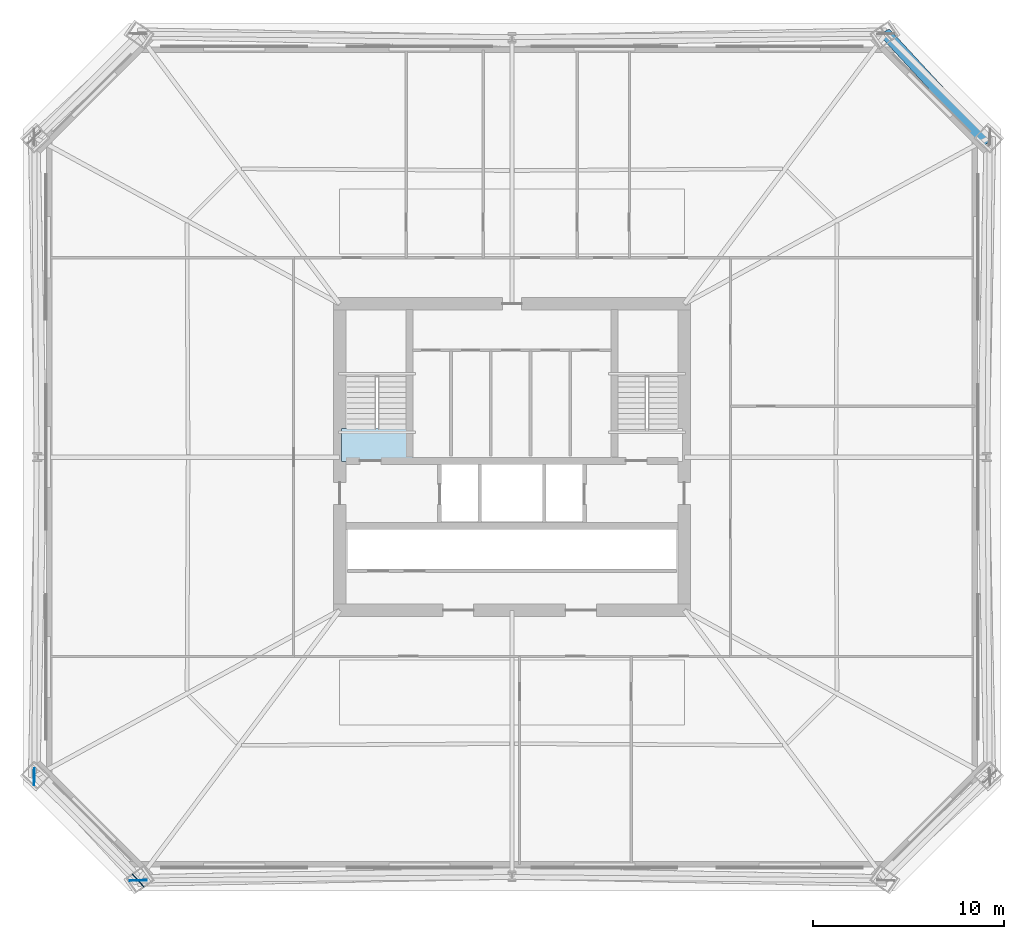
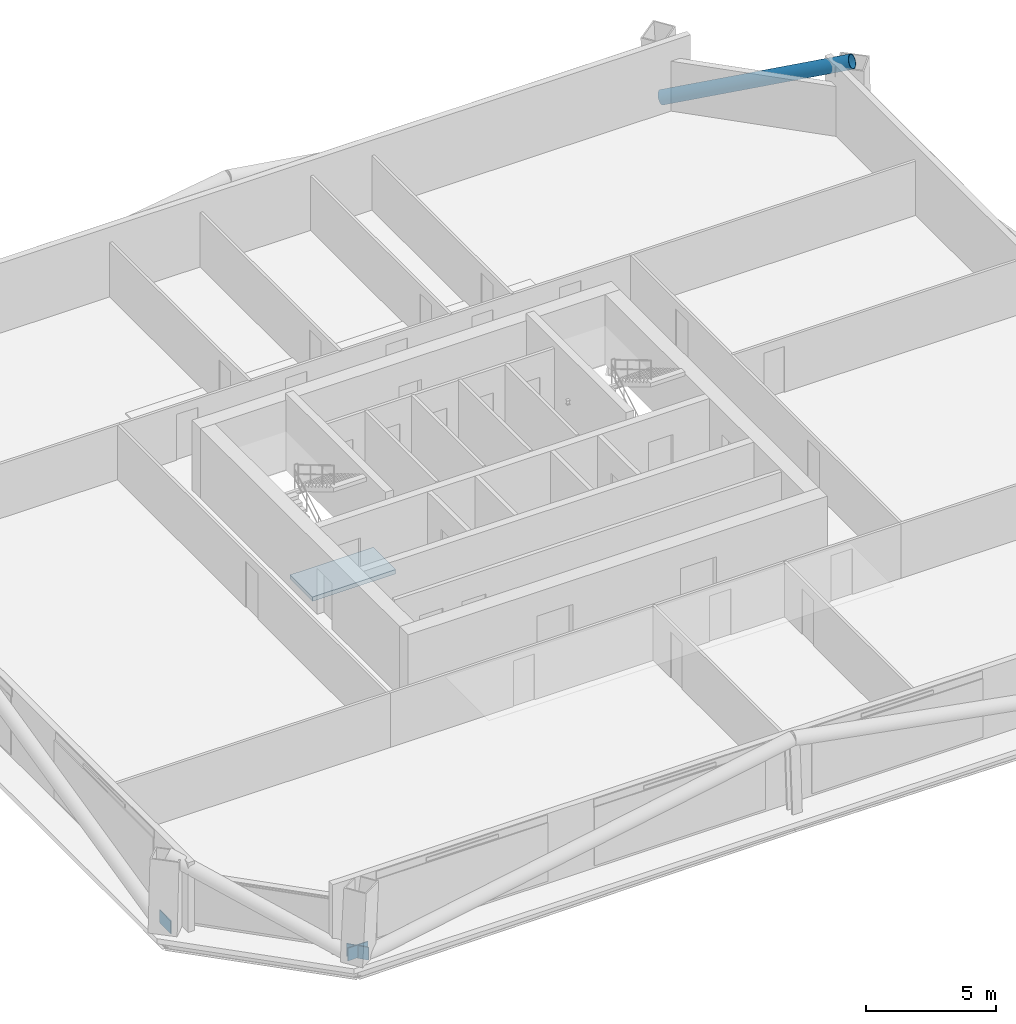
# One storey, part 2 of 9: 3 plates, 1 member, 1 slab, 1 element without a shape of its own.
"""IFC4 building model written with IfcOpenShell, lengths in metres."""

from ifc_helpers import new_model, si_unit, direction, frame, origin, origin_2d, place, context, subcontext, project, spatial, polyline, rectangle, hollow_circle, outline, extrude, material, layer, layer_set, material_profile, profile_set, type_object, element, aggregate, save


model = new_model("IFC4")

# Units and contexts
model_context = context("Model", 3, precision=1e-05, world=origin(), true_north=direction((0.0, 1.0)))
body_context = subcontext(model_context, "Body", "Model", "MODEL_VIEW")
ifc_project = project(units=[si_unit("LENGTHUNIT", "METRE"), si_unit("AREAUNIT", "SQUARE_METRE"), si_unit("VOLUMEUNIT", "CUBIC_METRE"), si_unit("PLANEANGLEUNIT", "RADIAN"), si_unit("MASSUNIT", "GRAM", prefix="KILO")], contexts=[model_context])

# Site, building, storey
site_placement = place(None, origin())
site = spatial("IfcSite", under=ifc_project, at=site_placement, CompositionType="ELEMENT")
building_placement = place(site_placement, origin())
building = spatial("IfcBuilding", under=site, at=building_placement, Name="Caelvoria Tower", CompositionType="ELEMENT")
storey_placement = place(building_placement, frame((0.0, 0.0, 82.0)))
storey = spatial("IfcBuildingStorey", under=building, at=storey_placement, Name="L21", CompositionType="ELEMENT", Elevation=82.0)

# Member
ifc_material_1 = material(Name="Structural Steel ASTM A572 Gr.50", Category="steel")
ifc_material_profile = material_profile(ifc_material_1, hollow_circle(Radius=0.304931640625, WallThickness=0.02490234375, at=origin_2d()), Name="Structural Steel ASTM A572 Gr.50")
ifc_profile_set = profile_set([ifc_material_profile], Name="CHS610X25 - Structural Steel ASTM A572 Gr.50")
member_type = type_object("IfcMemberType", Name="Lower Perimeter Mega Brace CHS610X25", PredefinedType="BRACE", material=ifc_profile_set)
member_placement = place(storey_placement, frame((65.5234375, 54.1103515625, 0.0), z_axis=(0.623900486817, -0.675643709648, 0.392751524711), x_axis=(0.734679124811, 0.678414757775, 0.0)))
element("IfcMember", 1, at=member_placement, inside=storey, type_object=member_type, Name="Perimeter Chamfer Mega Brace L21 NE", PredefinedType="BRACE", context=body_context, shape_type="SweptSolid", body=[
    extrude(hollow_circle(Radius=0.304931640625, WallThickness=0.02490234375, at=origin_2d()), origin(), (0.0, 0.0, 1.0), 8.351318359375),
])

# Plates
ifc_layer_1 = layer(ifc_material_1, 0.0400390625, Name="Structural Steel ASTM A572 Gr.50")
ifc_layer_set_1 = layer_set([ifc_layer_1], Name="Megaframe Node Gusset Plate 900x600x40 - Structural Steel ASTM A572 Gr.50")
plate_type = type_object("IfcPlateType", Name="Megaframe Node Gusset Plate 900x600x40", PredefinedType="USERDEFINED", material=ifc_layer_set_1)
for number, where, z_axis, x_axis, name in (
    (2, (26.4765625, 9.8896484375, 0.02001953125), (0.0, 0.0, 1.0), (-0.678423855626, 0.734670723602, 0.0), "Chamfer Mega Brace Gusset L21 SW"),
    (3, (26.4765625, 9.8896484375, 0.050048828125), (0.0, 0.0, 1.0), (0.99982663572, 0.01861984171, 0.0), "Megaframe Node Gusset Plate ND-04"),
    (4, (21.04833984375, 15.300537109375, 0.050048828125), (0.0, 0.0, 1.0), (0.020253161105, 0.999794883696, 0.0), "Megaframe Node Gusset Plate ND-04"),
):
    element("IfcPlate", number, at=place(storey_placement, frame(where, z_axis=z_axis, x_axis=x_axis)), inside=storey, type_object=plate_type, Name=name, ObjectType="GUSSET_PLATE", PredefinedType="USERDEFINED", context=body_context, shape_type="SweptSolid", body=[
        extrude(rectangle(XDim=0.89990234375, YDim=0.0400390625, at=origin_2d()), origin(), (0.0, 0.0, 1.0), 0.60009765625),
    ])

# Stair, slab
ifc_material_2 = material(Name="Concrete C40/50", Category="concrete")
stair_type = type_object("IfcStairType", Name="Core Smokeproof Dogleg Stair Concrete C40/50", PredefinedType="HALF_TURN_STAIR", material=ifc_material_2)
stair_placement = place(storey_placement, origin())
stair = element("IfcStair", 5, at=stair_placement, inside=storey, type_object=stair_type, Name="ST-01 Smokeproof Exit Stair L21", PredefinedType="HALF_TURN_STAIR")
ifc_layer_2 = layer(ifc_material_2, 0.199951171875, Name="Concrete C40/50")
ifc_layer_set_2 = layer_set([ifc_layer_2], Name="Stair Half and Floor Landing Slab 200 Concrete C40/50 - Concrete C40/50")
slab_type = type_object("IfcSlabType", Name="Stair Half and Floor Landing Slab 200 Concrete C40/50", PredefinedType="LANDING", material=ifc_layer_set_2)
slab_placement = place(storey_placement, frame((0.0, 0.0, -0.199951171875)))
slab = element("IfcSlab", 6, at=slab_placement, type_object=slab_type, Name="ST-01 landing 1", PredefinedType="LANDING", context=body_context, shape_type="SweptSolid", body=[
    extrude(outline(polyline([(37.10009765625, 31.77001953125), (40.800048828125, 31.77001953125), (40.800048828125, 33.5), (37.10009765625, 33.5), (37.10009765625, 31.77001953125)])), origin(), (0.0, 0.0, 1.0), 0.199951171875),
])
aggregate(stair, [slab])

save(model, "model.ifc")
